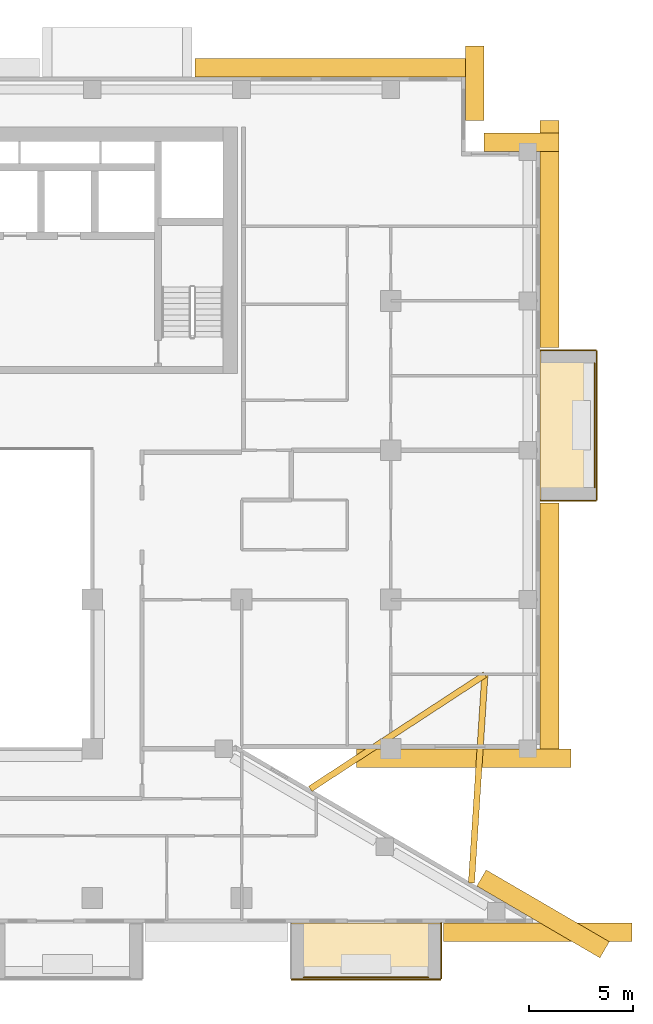
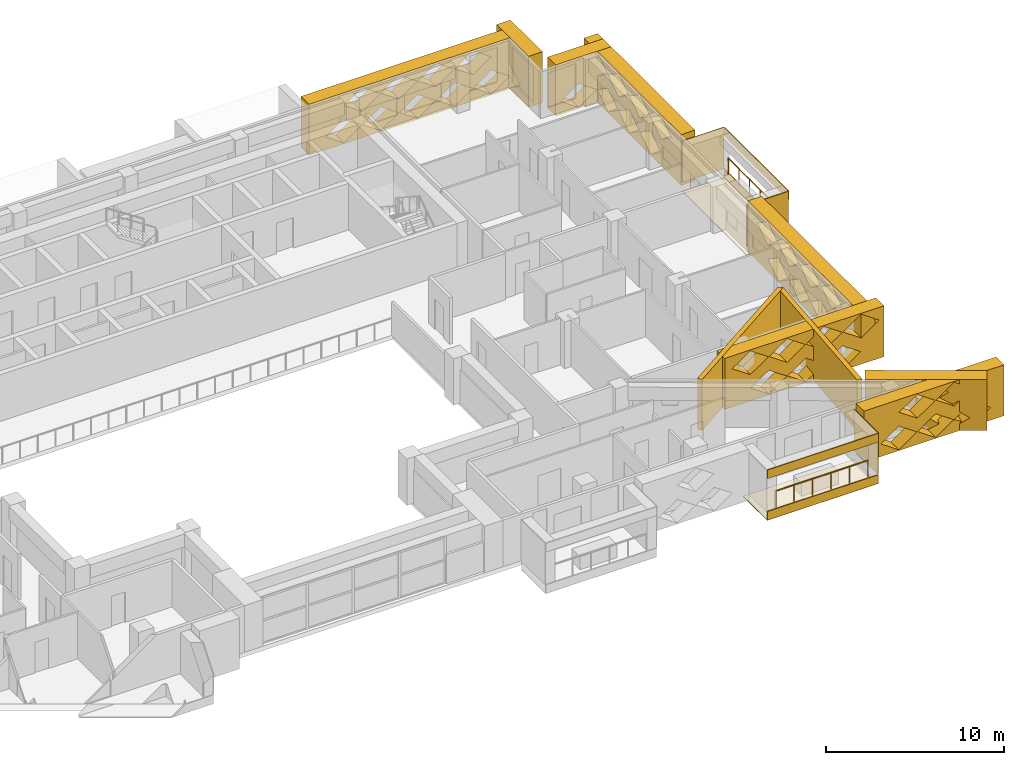
# One storey, part 20 of 20: 19 coverings, 2 railings.
"""IFC4 building model written with IfcOpenShell, lengths in metres."""

from ifc_helpers import new_model, si_unit, direction, frame, origin, origin_2d, place, context, subcontext, project, spatial, polyline, circle, outline, extrude, material, layer, layer_set, type_object, element, save


model = new_model("IFC4")

# Units and contexts
model_context = context("Model", 3, precision=1e-05, world=origin(), true_north=direction((0.0, 1.0)))
body_context = subcontext(model_context, "Body", "Model", "MODEL_VIEW")
ifc_project = project(units=[si_unit("LENGTHUNIT", "METRE"), si_unit("AREAUNIT", "SQUARE_METRE"), si_unit("VOLUMEUNIT", "CUBIC_METRE"), si_unit("PLANEANGLEUNIT", "RADIAN"), si_unit("MASSUNIT", "GRAM", prefix="KILO")], contexts=[model_context])

# Site, building, storey
site_placement = place(None, origin())
site = spatial("IfcSite", under=ifc_project, at=site_placement, CompositionType="ELEMENT")
building_placement = place(site_placement, origin())
building = spatial("IfcBuilding", under=site, at=building_placement, Name="Saffron Iwan Residences", CompositionType="ELEMENT")
storey_placement = place(building_placement, frame((0.0, 0.0, 153.5)))
storey = spatial("IfcBuildingStorey", under=building, at=storey_placement, Name="L40", CompositionType="ELEMENT", Elevation=153.5)

# Railings
ifc_material_1 = material(Name="Stainless steel 316", Category="steel")
railing_type = type_object("IfcRailingType", Name="BALCONY GUARD 1150", PredefinedType="GUARDRAIL", material=ifc_material_1)
railing_1_placement = place(storey_placement, frame((89.02490234375, 60.60009765625, 0.0)))
element("IfcRailing", 1, at=railing_1_placement, inside=storey, type_object=railing_type, Name="Balcony guard L40 F2-0", PredefinedType="GUARDRAIL", context=body_context, shape_type="SweptSolid", body=[
    extrude(circle(Radius=0.02392578125, at=origin_2d()), frame((0.0, 0.0, 1.1259765625), z_axis=(0.0, 1.0, 0.0), x_axis=(-1.0, 0.0, 0.0)), (0.0, 0.0, 1.0), 6.0),
    extrude(circle(Radius=0.02099609375, at=origin_2d()), origin(), (0.0, 0.0, 1.0), 1.101806640625),
    extrude(circle(Radius=0.02099609375, at=origin_2d()), frame((0.0, 1.199951171875, 0.0)), (0.0, 0.0, 1.0), 1.101806640625),
    extrude(circle(Radius=0.02099609375, at=origin_2d()), frame((0.0, 2.39990234375, 0.0)), (0.0, 0.0, 1.0), 1.101806640625),
    extrude(circle(Radius=0.02099609375, at=origin_2d()), frame((0.0, 3.60009765625, 0.0)), (0.0, 0.0, 1.0), 1.101806640625),
    extrude(circle(Radius=0.02099609375, at=origin_2d()), frame((0.0, 4.800048828125, 0.0)), (0.0, 0.0, 1.0), 1.101806640625),
    extrude(circle(Radius=0.02099609375, at=origin_2d()), frame((0.0, 6.0, 0.0)), (0.0, 0.0, 1.0), 1.101806640625),
])
railing_2_placement = place(storey_placement, frame((75.0, 36.97509765625, 0.0)))
element("IfcRailing", 2, at=railing_2_placement, inside=storey, type_object=railing_type, Name="Balcony guard L40 11-2", PredefinedType="GUARDRAIL", context=body_context, shape_type="SweptSolid", body=[
    extrude(circle(Radius=0.02392578125, at=origin_2d()), frame((0.0, 0.0, 1.1259765625), z_axis=(1.0, 0.0, 0.0), x_axis=(0.0, 1.0, 0.0)), (0.0, 0.0, 1.0), 6.0),
    extrude(circle(Radius=0.02099609375, at=origin_2d()), origin(), (0.0, 0.0, 1.0), 1.101806640625),
    extrude(circle(Radius=0.02099609375, at=origin_2d()), frame((1.199951171875, 0.0, 0.0)), (0.0, 0.0, 1.0), 1.101806640625),
    extrude(circle(Radius=0.02099609375, at=origin_2d()), frame((2.39990234375, 0.0, 0.0)), (0.0, 0.0, 1.0), 1.101806640625),
    extrude(circle(Radius=0.02099609375, at=origin_2d()), frame((3.60009765625, 0.0, 0.0)), (0.0, 0.0, 1.0), 1.101806640625),
    extrude(circle(Radius=0.02099609375, at=origin_2d()), frame((4.800048828125, 0.0, 0.0)), (0.0, 0.0, 1.0), 1.101806640625),
    extrude(circle(Radius=0.02099609375, at=origin_2d()), frame((6.0, 0.0, 0.0)), (0.0, 0.0, 1.0), 1.101806640625),
])

# Coverings
ifc_material_2 = material(Name="Precast concrete C40/50 white painted", Category="concrete")
ifc_layer_1 = layer(ifc_material_2, 0.050048828125)
ifc_layer_set_1 = layer_set([ifc_layer_1], Name="Precast concrete C40/50 white painted")
covering_type_1 = type_object("IfcCoveringType", Name="FRAME SKIN PRECAST WHITE 50", PredefinedType="CLADDING", material=ifc_layer_set_1)
for number, where, name in (
    (3, (0.0, 0.0, -0.60009765625), "Frame skin slab edge L40 F2-0"),
    (4, (0.0, 0.0, 2.25), "Frame skin fascia L40 F2-0"),
):
    element("IfcCovering", number, at=place(storey_placement, frame(where)), inside=storey, type_object=covering_type_1, Name=name, PredefinedType="CLADDING", context=body_context, shape_type="SweptSolid", body=[
        extrude(outline(polyline([(89.14990234375, 60.0), (89.14990234375, 67.199951171875), (89.10009765625, 67.199951171875), (89.10009765625, 60.0), (89.14990234375, 60.0)])), origin(), (0.0, 0.0, 1.0), 0.60009765625),
    ])
covering_1_placement = place(storey_placement, frame((0.0, 0.0, -0.64990234375)))
element("IfcCovering", 5, at=covering_1_placement, inside=storey, type_object=covering_type_1, Name="Frame skin soffit L40 F2-0", PredefinedType="CLADDING", context=body_context, shape_type="SweptSolid", body=[
    extrude(outline(polyline([(89.10009765625, 60.0), (89.10009765625, 67.199951171875), (86.39990234375, 67.199951171875), (86.39990234375, 60.0), (89.10009765625, 60.0)])), origin(), (0.0, 0.0, 1.0), 0.0498046875),
])
covering_2_placement = place(storey_placement, origin())
element("IfcCovering", 6, at=covering_2_placement, inside=storey, type_object=covering_type_1, Name="Frame skin fin L40 F2-0a", PredefinedType="CLADDING", context=body_context, shape_type="SweptSolid", body=[
    extrude(outline(polyline([(89.10009765625, 59.949951171875), (89.10009765625, 60.0), (86.39990234375, 60.0), (86.39990234375, 59.949951171875), (89.10009765625, 59.949951171875)])), origin(), (0.0, 0.0, 1.0), 2.85009765625),
])
covering_3_placement = place(storey_placement, origin())
element("IfcCovering", 7, at=covering_3_placement, inside=storey, type_object=covering_type_1, Name="Frame skin fin L40 F2-0b", PredefinedType="CLADDING", context=body_context, shape_type="SweptSolid", body=[
    extrude(outline(polyline([(89.10009765625, 67.199951171875), (89.10009765625, 67.25), (86.39990234375, 67.25), (86.39990234375, 67.199951171875), (89.10009765625, 67.199951171875)])), origin(), (0.0, 0.0, 1.0), 2.85009765625),
])
for number, where, name in (
    (8, (0.0, 0.0, -0.60009765625), "Frame skin slab edge L40 11-2"),
    (9, (0.0, 0.0, 2.25), "Frame skin fascia L40 11-2"),
):
    element("IfcCovering", number, at=place(storey_placement, frame(where)), inside=storey, type_object=covering_type_1, Name=name, PredefinedType="CLADDING", context=body_context, shape_type="SweptSolid", body=[
        extrude(outline(polyline([(74.39990234375, 36.85009765625), (81.60009765625, 36.85009765625), (81.60009765625, 36.89990234375), (74.39990234375, 36.89990234375), (74.39990234375, 36.85009765625)])), origin(), (0.0, 0.0, 1.0), 0.60009765625),
    ])
covering_4_placement = place(storey_placement, frame((0.0, 0.0, -0.64990234375)))
element("IfcCovering", 10, at=covering_4_placement, inside=storey, type_object=covering_type_1, Name="Frame skin soffit L40 11-2", PredefinedType="CLADDING", context=body_context, shape_type="SweptSolid", body=[
    extrude(outline(polyline([(74.39990234375, 36.89990234375), (81.60009765625, 36.89990234375), (81.60009765625, 39.60009765625), (74.39990234375, 39.60009765625), (74.39990234375, 36.89990234375)])), origin(), (0.0, 0.0, 1.0), 0.0498046875),
])
covering_5_placement = place(storey_placement, origin())
element("IfcCovering", 11, at=covering_5_placement, inside=storey, type_object=covering_type_1, Name="Frame skin fin L40 11-2b", PredefinedType="CLADDING", context=body_context, shape_type="SweptSolid", body=[
    extrude(outline(polyline([(81.60009765625, 36.89990234375), (81.64990234375, 36.89990234375), (81.64990234375, 39.60009765625), (81.60009765625, 39.60009765625), (81.60009765625, 36.89990234375)])), origin(), (0.0, 0.0, 1.0), 2.85009765625),
])
ifc_material_3 = material(Name="Precast concrete C40/50", Category="concrete")
covering_type_2 = type_object("IfcCoveringType", Name="OUTER SKIN LATTICE SCREEN", PredefinedType="CLADDING", material=ifc_material_3)
covering_6_placement = place(storey_placement, frame((89.283935546875, 37.917724609375, -0.300048828125), z_axis=(0.503803550485, 0.863818257806, 0.0), x_axis=(-0.863818257806, 0.503803550485, 0.0)))
element("IfcCovering", 12, at=covering_6_placement, inside=storey, type_object=covering_type_2, Name="OUTER SKIN lattice screen L40 F0.0", PredefinedType="CLADDING", context=body_context, shape_type="SweptSolid", body=[
    extrude(outline(polyline([(0.0, 0.0), (6.874267578125, 0.0), (6.874267578125, 3.5), (0.0, 3.5), (0.0, 0.0)]), holes=[polyline([(0.958740234375, 0.875), (2.138671875, 0.06005859375), (3.318603515625, 0.875), (2.138671875, 1.68994140625), (0.958740234375, 0.875)]), polyline([(3.358642578125, 0.875), (4.538818359375, 0.06005859375), (5.71875, 0.875), (4.538818359375, 1.68994140625), (3.358642578125, 0.875)]), polyline([(2.15869140625, 2.625), (3.338623046875, 1.81005859375), (4.518798828125, 2.625), (3.338623046875, 3.43994140625), (2.15869140625, 2.625)])]), origin(), (0.0, 0.0, 1.0), 0.89990234375),
])
covering_7_placement = place(storey_placement, frame((77.538818359375, 48.0, -0.300048828125), z_axis=(0.0, -1.0, 0.0), x_axis=(1.0, 0.0, 0.0)))
element("IfcCovering", 13, at=covering_7_placement, inside=storey, type_object=covering_type_2, Name="OUTER SKIN lattice screen L40 F1.0", PredefinedType="CLADDING", context=body_context, shape_type="SweptSolid", body=[
    extrude(outline(polyline([(0.0, 0.0), (10.361328125, 0.0), (10.361328125, 3.5), (0.0, 3.5), (0.0, 0.0)]), holes=[polyline([(1.681396484375, 0.875), (2.861328125, 0.06005859375), (4.041259765625, 0.875), (2.861328125, 1.68994140625), (1.681396484375, 0.875)]), polyline([(4.081298828125, 0.875), (5.26123046875, 0.06005859375), (6.44140625, 0.875), (5.26123046875, 1.68994140625), (4.081298828125, 0.875)]), polyline([(6.481201171875, 0.875), (7.661376953125, 0.06005859375), (8.84130859375, 0.875), (7.661376953125, 1.68994140625), (6.481201171875, 0.875)]), polyline([(0.481201171875, 2.625), (1.661376953125, 1.81005859375), (2.84130859375, 2.625), (1.661376953125, 3.43994140625), (0.481201171875, 2.625)]), polyline([(2.88134765625, 2.625), (4.061279296875, 1.81005859375), (5.2412109375, 2.625), (4.061279296875, 3.43994140625), (2.88134765625, 2.625)]), polyline([(5.28125, 2.625), (6.461181640625, 1.81005859375), (7.641357421875, 2.625), (6.461181640625, 3.43994140625), (5.28125, 2.625)]), polyline([(7.681396484375, 2.625), (8.861328125, 1.81005859375), (10.041259765625, 2.625), (8.861328125, 3.43994140625), (7.681396484375, 2.625)])]), origin(), (0.0, 0.0, 1.0), 0.89990234375),
])
covering_8_placement = place(storey_placement, frame((86.39990234375, 47.10009765625, -0.300048828125), z_axis=(1.0, 0.0, 0.0), x_axis=(0.0, 1.0, 0.0)))
element("IfcCovering", 14, at=covering_8_placement, inside=storey, type_object=covering_type_2, Name="OUTER SKIN lattice screen L40 F2.0", PredefinedType="CLADDING", context=body_context, shape_type="SweptSolid", body=[
    extrude(outline(polyline([(0.0, 0.0), (12.75, 0.0), (12.75, 3.5), (0.0, 3.5), (0.0, 0.0)]), holes=[polyline([(0.919921875, 0.875), (2.10009765625, 0.06005859375), (3.280029296875, 0.875), (2.10009765625, 1.68994140625), (0.919921875, 0.875)]), polyline([(3.320068359375, 0.875), (4.5, 0.06005859375), (5.679931640625, 0.875), (4.5, 1.68994140625), (3.320068359375, 0.875)]), polyline([(5.719970703125, 0.875), (6.89990234375, 0.06005859375), (8.080078125, 0.875), (6.89990234375, 1.68994140625), (5.719970703125, 0.875)]), polyline([(8.1201171875, 0.875), (9.300048828125, 0.06005859375), (10.47998046875, 0.875), (9.300048828125, 1.68994140625), (8.1201171875, 0.875)]), polyline([(2.1201171875, 2.625), (3.300048828125, 1.81005859375), (4.47998046875, 2.625), (3.300048828125, 3.43994140625), (2.1201171875, 2.625)]), polyline([(4.52001953125, 2.625), (5.699951171875, 1.81005859375), (6.8798828125, 2.625), (5.699951171875, 3.43994140625), (4.52001953125, 2.625)]), polyline([(6.919921875, 2.625), (8.10009765625, 1.81005859375), (9.280029296875, 2.625), (8.10009765625, 3.43994140625), (6.919921875, 2.625)]), polyline([(9.320068359375, 2.625), (10.5, 1.81005859375), (11.679931640625, 2.625), (10.5, 3.43994140625), (9.320068359375, 2.625)])]), origin(), (0.0, 0.0, 1.0), 0.900146484375),
])
covering_9_placement = place(storey_placement, frame((86.39990234375, 67.35009765625, -0.300048828125), z_axis=(1.0, 0.0, 0.0), x_axis=(0.0, 1.0, 0.0)))
element("IfcCovering", 15, at=covering_9_placement, inside=storey, type_object=covering_type_2, Name="OUTER SKIN lattice screen L40 F2.1", PredefinedType="CLADDING", context=body_context, shape_type="SweptSolid", body=[
    extrude(outline(polyline([(0.0, 0.0), (10.949951171875, 0.0), (10.949951171875, 3.5), (0.0, 3.5), (0.0, 0.0)]), holes=[polyline([(2.27001953125, 0.875), (3.449951171875, 0.06005859375), (4.6298828125, 0.875), (3.449951171875, 1.68994140625), (2.27001953125, 0.875)]), polyline([(4.669921875, 0.875), (5.85009765625, 0.06005859375), (7.030029296875, 0.875), (5.85009765625, 1.68994140625), (4.669921875, 0.875)]), polyline([(7.070068359375, 0.875), (8.25, 0.06005859375), (9.429931640625, 0.875), (8.25, 1.68994140625), (7.070068359375, 0.875)]), polyline([(1.070068359375, 2.625), (2.25, 1.81005859375), (3.429931640625, 2.625), (2.25, 3.43994140625), (1.070068359375, 2.625)]), polyline([(3.469970703125, 2.625), (4.64990234375, 1.81005859375), (5.830078125, 2.625), (4.64990234375, 3.43994140625), (3.469970703125, 2.625)]), polyline([(5.8701171875, 2.625), (7.050048828125, 1.81005859375), (8.22998046875, 2.625), (7.050048828125, 3.43994140625), (5.8701171875, 2.625)]), polyline([(8.27001953125, 2.625), (9.449951171875, 1.81005859375), (10.6298828125, 2.625), (9.449951171875, 3.43994140625), (8.27001953125, 2.625)])]), origin(), (0.0, 0.0, 1.0), 0.900146484375),
])
for number, where, z_axis, x_axis, name in (
    (16, (87.300048828125, 76.800048828125, -0.300048828125), (0.0, 1.0, 0.0), (-1.0, 0.0, 0.0), "OUTER SKIN lattice screen L40 F3.0"),
    (17, (82.800048828125, 78.300048828125, -0.300048828125), (1.0, 0.0, 0.0), (0.0, 1.0, 0.0), "OUTER SKIN lattice screen L40 F4.0"),
):
    element("IfcCovering", number, at=place(storey_placement, frame(where, z_axis=z_axis, x_axis=x_axis)), inside=storey, type_object=covering_type_2, Name=name, PredefinedType="CLADDING", context=body_context, shape_type="SweptSolid", body=[
        extrude(outline(polyline([(0.0, 0.0), (3.60009765625, 0.0), (3.60009765625, 3.5), (0.0, 3.5), (0.0, 0.0)]), holes=[polyline([(0.919921875, 0.875), (2.10009765625, 0.06005859375), (3.280029296875, 0.875), (2.10009765625, 1.68994140625), (0.919921875, 0.875)])]), origin(), (0.0, 0.0, 1.0), 0.89990234375),
    ])
covering_10_placement = place(storey_placement, frame((83.699951171875, 80.39990234375, -0.300048828125), z_axis=(0.0, 1.0, 0.0), x_axis=(-1.0, 0.0, 0.0)))
element("IfcCovering", 18, at=covering_10_placement, inside=storey, type_object=covering_type_2, Name="OUTER SKIN lattice screen L40 F5.0", PredefinedType="CLADDING", context=body_context, shape_type="SweptSolid", body=[
    extrude(outline(polyline([(0.0, 0.0), (13.949951171875, 0.0), (13.949951171875, 3.5), (0.0, 3.5), (0.0, 0.0)]), holes=[polyline([(0.919921875, 0.875), (2.10009765625, 0.06005859375), (3.280029296875, 0.875), (2.10009765625, 1.68994140625), (0.919921875, 0.875)]), polyline([(3.320068359375, 0.875), (4.5, 0.06005859375), (5.679931640625, 0.875), (4.5, 1.68994140625), (3.320068359375, 0.875)]), polyline([(5.719970703125, 0.875), (6.89990234375, 0.06005859375), (8.080078125, 0.875), (6.89990234375, 1.68994140625), (5.719970703125, 0.875)]), polyline([(8.1201171875, 0.875), (9.300048828125, 0.06005859375), (10.47998046875, 0.875), (9.300048828125, 1.68994140625), (8.1201171875, 0.875)]), polyline([(10.52001953125, 0.875), (11.699951171875, 0.06005859375), (12.8798828125, 0.875), (11.699951171875, 1.68994140625), (10.52001953125, 0.875)]), polyline([(2.1201171875, 2.625), (3.300048828125, 1.81005859375), (4.47998046875, 2.625), (3.300048828125, 3.43994140625), (2.1201171875, 2.625)]), polyline([(4.52001953125, 2.625), (5.699951171875, 1.81005859375), (6.8798828125, 2.625), (5.699951171875, 3.43994140625), (4.52001953125, 2.625)]), polyline([(6.919921875, 2.625), (8.10009765625, 1.81005859375), (9.280029296875, 2.625), (8.10009765625, 3.43994140625), (6.919921875, 2.625)]), polyline([(9.320068359375, 2.625), (10.5, 1.81005859375), (11.679931640625, 2.625), (10.5, 3.43994140625), (9.320068359375, 2.625)])]), origin(), (0.0, 0.0, 1.0), 0.900146484375),
])
covering_11_placement = place(storey_placement, frame((81.75, 39.60009765625, -0.300048828125), z_axis=(0.0, -1.0, 0.0), x_axis=(1.0, 0.0, 0.0)))
element("IfcCovering", 19, at=covering_11_placement, inside=storey, type_object=covering_type_2, Name="OUTER SKIN lattice screen L40 F11.3", PredefinedType="CLADDING", context=body_context, shape_type="SweptSolid", body=[
    extrude(outline(polyline([(0.0, 0.0), (9.088623046875, 0.0), (9.088623046875, 3.5), (0.0, 3.5), (0.0, 0.0)]), holes=[polyline([(1.070068359375, 0.875), (2.25, 0.06005859375), (3.429931640625, 0.875), (2.25, 1.68994140625), (1.070068359375, 0.875)]), polyline([(3.469970703125, 0.875), (4.64990234375, 0.06005859375), (5.830078125, 0.875), (4.64990234375, 1.68994140625), (3.469970703125, 0.875)]), polyline([(5.8701171875, 0.875), (7.050048828125, 0.06005859375), (8.22998046875, 0.875), (7.050048828125, 1.68994140625), (5.8701171875, 0.875)]), polyline([(2.27001953125, 2.625), (3.449951171875, 1.81005859375), (4.6298828125, 2.625), (3.449951171875, 3.43994140625), (2.27001953125, 2.625)]), polyline([(4.669921875, 2.625), (5.85009765625, 1.81005859375), (7.030029296875, 2.625), (5.85009765625, 3.43994140625), (4.669921875, 2.625)])]), origin(), (0.0, 0.0, 1.0), 0.900146484375),
])
ifc_layer_2 = layer(ifc_material_2, 0.300048828125)
ifc_layer_set_2 = layer_set([ifc_layer_2], Name="Precast concrete C40/50 white painted")
covering_type_3 = type_object("IfcCoveringType", Name="PROW NOSE BLADE PRECAST WHITE", PredefinedType="CLADDING", material=ifc_layer_set_2)
covering_12_placement = place(storey_placement, frame((0.0, 0.0, -0.300048828125)))
element("IfcCovering", 20, at=covering_12_placement, inside=storey, type_object=covering_type_3, Name="Prow nose blade L40 a", PredefinedType="CLADDING", context=body_context, shape_type="SweptSolid", body=[
    extrude(outline(polyline([(83.23681640625, 41.52294921875), (83.884521484375, 51.564453125), (83.585205078125, 51.583740234375), (82.937255859375, 41.542236328125), (83.23681640625, 41.52294921875)])), origin(), (0.0, 0.0, 1.0), 3.5),
])
covering_13_placement = place(storey_placement, frame((0.0, 0.0, -0.300048828125)))
element("IfcCovering", 21, at=covering_13_placement, inside=storey, type_object=covering_type_3, Name="Prow nose blade L40 b", PredefinedType="CLADDING", context=body_context, shape_type="SweptSolid", body=[
    extrude(outline(polyline([(75.39501953125, 45.94189453125), (83.81689453125, 51.448486328125), (83.65283203125, 51.69970703125), (75.23095703125, 46.193115234375), (75.39501953125, 45.94189453125)])), origin(), (0.0, 0.0, 1.0), 3.5),
])

save(model, "model.ifc")
